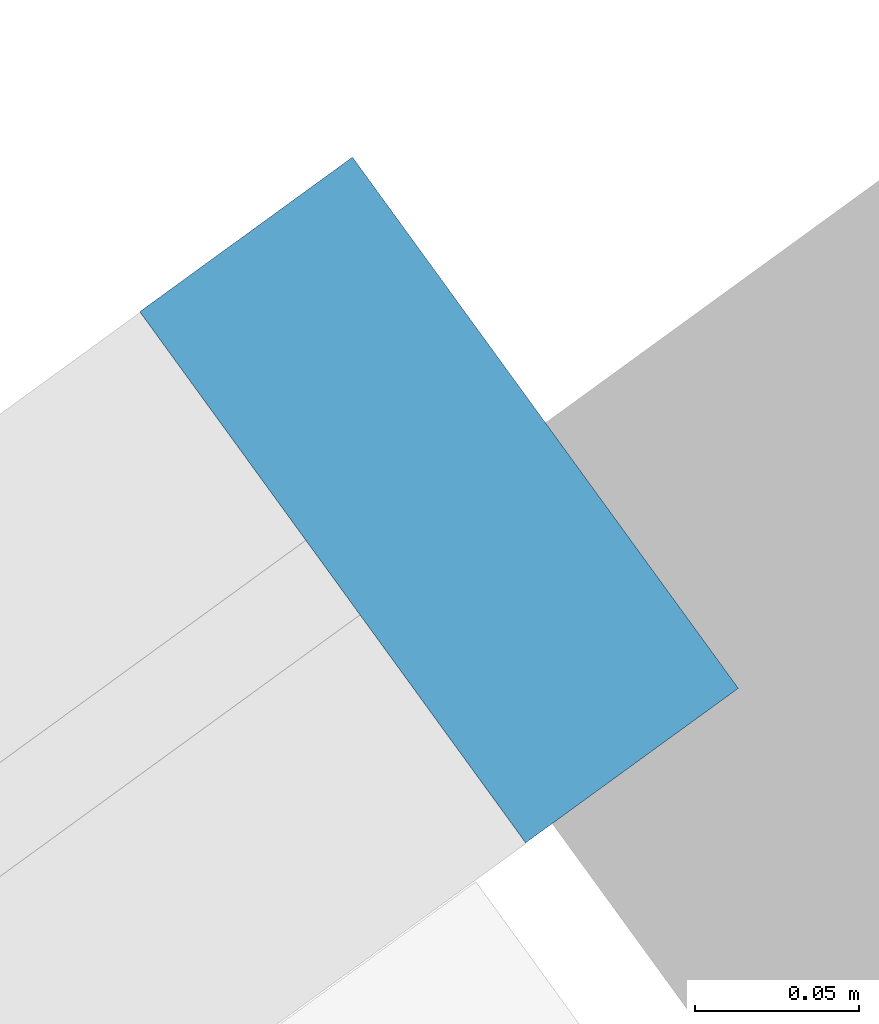
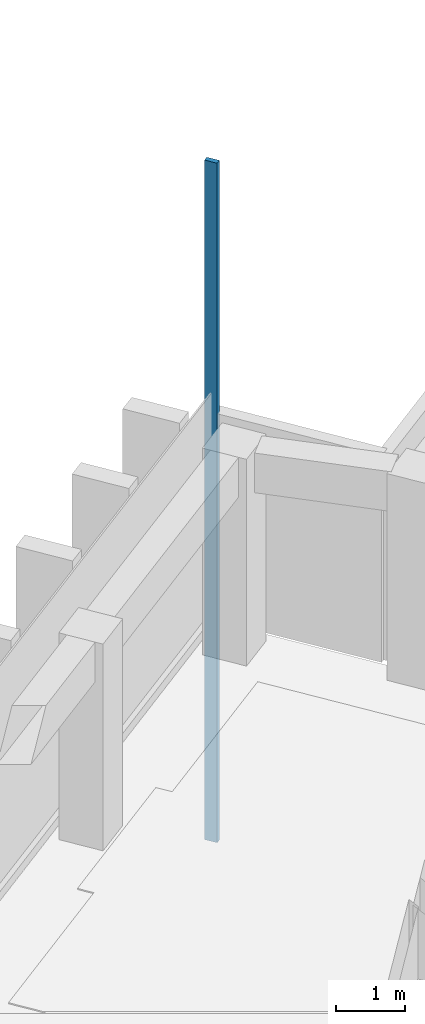
# One storey, part 5 of 13: 1 member, 1 element without a shape of its own.
"""IFC4 building model written with IfcOpenShell, lengths in metres."""

from ifc_helpers import new_model, si_unit, direction, frame, origin, origin_2d, place, context, subcontext, project, spatial, rectangle, extrude, material, material_profile, profile_set, type_object, element, aggregate, save


model = new_model("IFC4")

# Units and contexts
model_context = context("Model", 3, precision=1e-05, world=origin(), true_north=direction((0.0, 1.0)))
body_context = subcontext(model_context, "Body", "Model", "MODEL_VIEW")
ifc_project = project(units=[si_unit("LENGTHUNIT", "METRE"), si_unit("AREAUNIT", "SQUARE_METRE"), si_unit("VOLUMEUNIT", "CUBIC_METRE"), si_unit("PLANEANGLEUNIT", "RADIAN"), si_unit("MASSUNIT", "GRAM", prefix="KILO")], contexts=[model_context])

# Site, building, storey
site_placement = place(None, origin())
site = spatial("IfcSite", under=ifc_project, at=site_placement, CompositionType="ELEMENT")
building_placement = place(site_placement, origin())
building = spatial("IfcBuilding", under=site, at=building_placement, Name="Quipu Civic Tower", CompositionType="ELEMENT")
storey_placement = place(building_placement, frame((0.0, 0.0, 347.0)))
storey = spatial("IfcBuildingStorey", under=building, at=storey_placement, Name="L81", CompositionType="ELEMENT", Elevation=347.0)

# Curtain wall, member
ifc_material_1 = material(Name="Insulated glass unit", Category="glass")
curtain_wall_type = type_object("IfcCurtainWallType", Name="Office curtain wall CW1", PredefinedType="NOTDEFINED", material=ifc_material_1)
curtain_wall_placement = place(storey_placement, origin())
curtain_wall = element("IfcCurtainWall", 1, at=curtain_wall_placement, inside=storey, type_object=curtain_wall_type, Name="Office curtain wall CW1 L80 run 6", PredefinedType="NOTDEFINED")
ifc_material_2 = material(Name="Anodised aluminium", Category="aluminium")
ifc_material_profile = material_profile(ifc_material_2, rectangle(XDim=0.199951171875, YDim=0.080078125, at=origin_2d()), Name="RECT 200x80")
ifc_profile_set = profile_set([ifc_material_profile], Name="Anodised aluminium")
member_type = type_object("IfcMemberType", Name="Mullion CW1", PredefinedType="MULLION", material=ifc_profile_set)
member_placement = place(storey_placement, frame((-28.4111328125, 21.206298828125, -3.919921875), z_axis=(0.0, 0.0, 1.0), x_axis=(0.587787753918, -0.809015176832, 0.0)))
member = element("IfcMember", 2, at=member_placement, type_object=member_type, Name="CW1 mullion 1", PredefinedType="MULLION", context=body_context, shape_type="SweptSolid", body=[
    extrude(rectangle(XDim=0.199951171875, YDim=0.080078125, at=origin_2d()), origin(), (0.0, 0.0, 1.0), 12.0),
])
aggregate(curtain_wall, [member])

save(model, "model.ifc")
